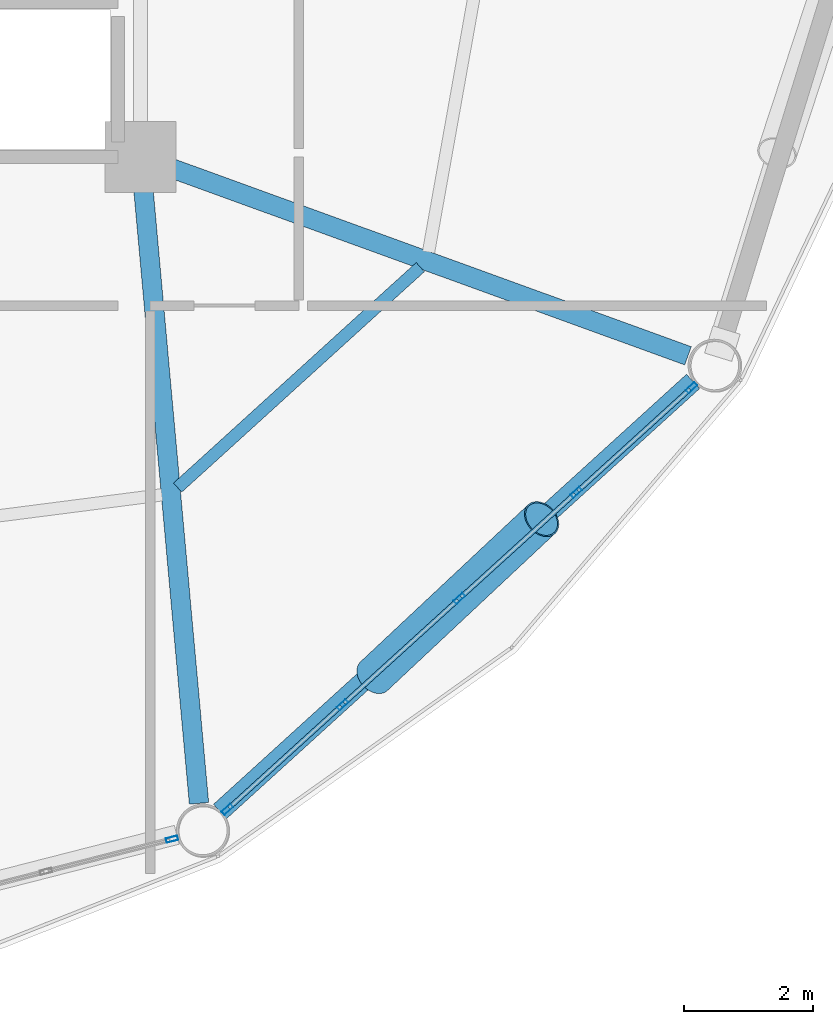
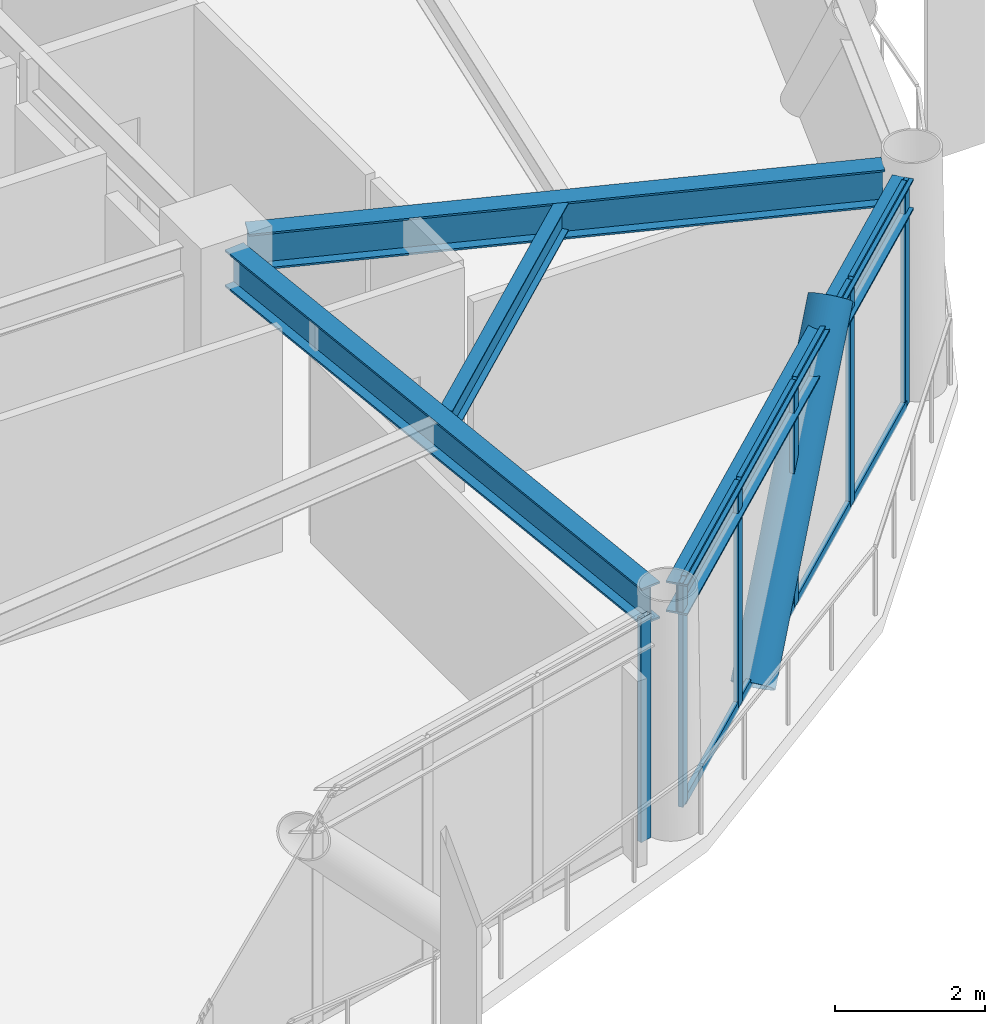
# One storey, part 12 of 25: 15 members, 4 beams, 2 elements without a shape of their own.
"""IFC4 building model written with IfcOpenShell, lengths in metres."""

from ifc_helpers import new_model, si_unit, direction, frame, origin, origin_2d, place, context, subcontext, project, spatial, hollow_rectangle, hollow_circle, i_section, extrude, material, layer, layer_set, material_profile, profile_set, type_object, element, aggregate, save


model = new_model("IFC4")

# Units and contexts
model_context = context("Model", 3, precision=1e-05, world=origin(), true_north=direction((0.0, 1.0)))
body_context = subcontext(model_context, "Body", "Model", "MODEL_VIEW")
ifc_project = project(units=[si_unit("LENGTHUNIT", "METRE"), si_unit("AREAUNIT", "SQUARE_METRE"), si_unit("VOLUMEUNIT", "CUBIC_METRE"), si_unit("PLANEANGLEUNIT", "RADIAN"), si_unit("MASSUNIT", "GRAM", prefix="KILO")], contexts=[model_context])

# Site, building, storey
site_placement = place(None, origin())
site = spatial("IfcSite", under=ifc_project, at=site_placement, CompositionType="ELEMENT")
building_placement = place(site_placement, origin())
building = spatial("IfcBuilding", under=site, at=building_placement, Name="Varnakorn Sky Granary", CompositionType="ELEMENT")
storey_placement = place(building_placement, frame((0.0, 0.0, 91.5)))
storey = spatial("IfcBuildingStorey", under=building, at=storey_placement, Name="L22", CompositionType="ELEMENT", Elevation=91.5)

# Beams
ifc_material_1 = material(Name="Steel S355JR", Category="steel")
ifc_material_profile_1 = material_profile(ifc_material_1, i_section(OverallWidth=0.300048828125, OverallDepth=0.60009765625, WebThickness=0.015380859375, FlangeThickness=0.030029296875, at=origin_2d()), Name="HE 600 B")
ifc_profile_set_1 = profile_set([ifc_material_profile_1], Name="Steel S355JR")
beam_type_1 = type_object("IfcBeamType", Name="BM-RAD-Z2", PredefinedType="BEAM", material=ifc_profile_set_1)
beam_1_placement = place(storey_placement, frame((8.387939453125, -7.018310546875, 3.340087890625), z_axis=(0.09017200568, -0.9959262068, 0.0), x_axis=(0.9959262068, 0.09017200568, 0.0)))
element("IfcBeam", 1, at=beam_1_placement, inside=storey, type_object=beam_type_1, Name="Radial Floor Girder RG11 L22", PredefinedType="BEAM", context=body_context, shape_type="SweptSolid", body=[
    extrude(i_section(OverallWidth=0.300048828125, OverallDepth=0.60009765625, WebThickness=0.015380859375, FlangeThickness=0.030029296875, at=origin_2d()), origin(), (0.0, 0.0, 1.0), 9.62255859375),
])
beam_2_placement = place(storey_placement, frame((8.744873046875, -6.743408203125, 3.340087890625), z_axis=(0.939950922729, -0.341309629017, 0.0), x_axis=(0.341309629017, 0.939950922729, 0.0)))
element("IfcBeam", 2, at=beam_2_placement, inside=storey, type_object=beam_type_1, Name="Radial Floor Girder RG12 L22", PredefinedType="BEAM", context=body_context, shape_type="SweptSolid", body=[
    extrude(i_section(OverallWidth=0.300048828125, OverallDepth=0.60009765625, WebThickness=0.015380859375, FlangeThickness=0.030029296875, at=origin_2d()), origin(), (0.0, 0.0, 1.0), 8.59375),
])
ifc_material_profile_2 = material_profile(ifc_material_1, i_section(OverallWidth=0.18994140625, OverallDepth=0.449951171875, WebThickness=0.009521484375, FlangeThickness=0.0146484375, at=origin_2d()), Name="IPE 450")
ifc_profile_set_2 = profile_set([ifc_material_profile_2], Name="Steel S355JR")
beam_type_2 = type_object("IfcBeamType", Name="BM-SEC-Z2", PredefinedType="BEAM", material=ifc_profile_set_2)
beam_3_placement = place(storey_placement, frame((8.92529296875, -11.7158203125, 3.4150390625), z_axis=(0.740103358676, 0.672493136378, 0.0), x_axis=(-0.672493136378, 0.740103358676, 0.0)))
element("IfcBeam", 3, at=beam_3_placement, inside=storey, type_object=beam_type_2, Name="Secondary Floor Chord Beam MSB11 L22", PredefinedType="BEAM", context=body_context, shape_type="SweptSolid", body=[
    extrude(i_section(OverallWidth=0.18994140625, OverallDepth=0.449951171875, WebThickness=0.009521484375, FlangeThickness=0.0146484375, at=origin_2d()), origin(), (0.0, 0.0, 1.0), 5.073486328125),
])
ifc_material_profile_3 = material_profile(ifc_material_1, i_section(OverallWidth=0.300048828125, OverallDepth=0.5, WebThickness=0.014404296875, FlangeThickness=0.028076171875, at=origin_2d()), Name="HE 500 B")
ifc_profile_set_3 = profile_set([ifc_material_profile_3], Name="Steel S355JR")
beam_type_3 = type_object("IfcBeamType", Name="BM-SPD-Z2", PredefinedType="SPANDREL", material=ifc_profile_set_3)
beam_4_placement = place(storey_placement, frame((9.580810546875, -16.72802734375, 3.389892578125), z_axis=(0.739943423445, 0.672669108923, 0.0), x_axis=(-0.672669108923, 0.739943423445, 0.0)))
element("IfcBeam", 4, at=beam_4_placement, inside=storey, type_object=beam_type_3, Name="Perimeter Spandrel Ring Beam RB11 L22", PredefinedType="SPANDREL", context=body_context, shape_type="SweptSolid", body=[
    extrude(i_section(OverallWidth=0.300048828125, OverallDepth=0.5, WebThickness=0.014404296875, FlangeThickness=0.028076171875, at=origin_2d()), origin(), (0.0, 0.0, 1.0), 9.892822265625),
])

# Curtain wall, member
ifc_material_2 = material(Name="Anodised Bronze Aluminium Alloy 6063-T6", Category="aluminium")
ifc_layer = layer(ifc_material_2, 0.18994140625, Name="Anodised Bronze Aluminium Alloy 6063-T6")
ifc_layer_set = layer_set([ifc_layer], Name="Anodised Bronze Aluminium Alloy 6063-T6")
curtain_wall_type = type_object("IfcCurtainWallType", Name="CW-FRM-1", PredefinedType="USERDEFINED", material=ifc_layer_set)
curtain_wall_1_placement = place(storey_placement, origin())
curtain_wall_1 = element("IfcCurtainWall", 5, at=curtain_wall_1_placement, inside=storey, type_object=curtain_wall_type, Name="Unitised Curtain Wall CW3 CW-L22-B10", ObjectType="CURTAIN WALL", PredefinedType="USERDEFINED")
ifc_material_profile_4 = material_profile(ifc_material_2, hollow_rectangle(XDim=0.070068359375, YDim=0.18505859375, WallThickness=0.00390625, at=origin_2d()), Name="ALU MULL 70x185")
ifc_profile_set_4 = profile_set([ifc_material_profile_4], Name="Anodised Bronze Aluminium Alloy 6063-T6")
member_type_1 = type_object("IfcMemberType", Name="CW-FRM-1-MULL", PredefinedType="MULLION", material=ifc_profile_set_4)
member_1_placement = place(storey_placement, frame((8.838134765625, -17.156494140625, 0.0), z_axis=(0.0, 0.0, 1.0), x_axis=(0.247904232144, -0.96878454348, 0.0)))
member_1 = element("IfcMember", 6, at=member_1_placement, type_object=member_type_1, Name="CW3 mullion 1", PredefinedType="MULLION", context=body_context, shape_type="SweptSolid", body=[
    extrude(hollow_rectangle(XDim=0.070068359375, YDim=0.18505859375, WallThickness=0.00390625, at=origin_2d()), origin(), (0.0, 0.0, 1.0), 3.639892578125),
])
aggregate(curtain_wall_1, [member_1])

# Curtain wall, members
curtain_wall_2_placement = place(storey_placement, origin())
curtain_wall_2 = element("IfcCurtainWall", 7, at=curtain_wall_2_placement, inside=storey, type_object=curtain_wall_type, Name="Unitised Curtain Wall CW3 CW-L22-B11", ObjectType="CURTAIN WALL", PredefinedType="USERDEFINED")
member_2_placement = place(storey_placement, frame((16.87646484375, -10.170654296875, 0.0), z_axis=(0.0, 0.0, 1.0), x_axis=(0.672429296104, -0.740161361962, 0.0)))
member_2 = element("IfcMember", 8, at=member_2_placement, type_object=member_type_1, Name="CW3 mullion 1", PredefinedType="MULLION", context=body_context, shape_type="SweptSolid", body=[
    extrude(hollow_rectangle(XDim=0.070068359375, YDim=0.18505859375, WallThickness=0.00390625, at=origin_2d()), origin(), (0.0, 0.0, 1.0), 3.639892578125),
])
member_3_placement = place(storey_placement, frame((15.09423828125, -11.7900390625, 0.0), z_axis=(0.0, 0.0, 1.0), x_axis=(0.672429296104, -0.740161361962, 0.0)))
member_3 = element("IfcMember", 9, at=member_3_placement, type_object=member_type_1, Name="CW3 mullion 2", PredefinedType="MULLION", context=body_context, shape_type="SweptSolid", body=[
    extrude(hollow_rectangle(XDim=0.070068359375, YDim=0.18505859375, WallThickness=0.00390625, at=origin_2d()), origin(), (0.0, 0.0, 1.0), 3.639892578125),
])
member_4_placement = place(storey_placement, frame((13.285888671875, -13.432861328125, 0.0), z_axis=(0.0, 0.0, 1.0), x_axis=(0.672429296104, -0.740161361962, 0.0)))
member_4 = element("IfcMember", 10, at=member_4_placement, type_object=member_type_1, Name="CW3 mullion 3", PredefinedType="MULLION", context=body_context, shape_type="SweptSolid", body=[
    extrude(hollow_rectangle(XDim=0.070068359375, YDim=0.18505859375, WallThickness=0.00390625, at=origin_2d()), origin(), (0.0, 0.0, 1.0), 3.639892578125),
])
member_5_placement = place(storey_placement, frame((11.4775390625, -15.07568359375, 0.0), z_axis=(0.0, 0.0, 1.0), x_axis=(0.672429296104, -0.740161361962, 0.0)))
member_5 = element("IfcMember", 11, at=member_5_placement, type_object=member_type_1, Name="CW3 mullion 4", PredefinedType="MULLION", context=body_context, shape_type="SweptSolid", body=[
    extrude(hollow_rectangle(XDim=0.070068359375, YDim=0.18505859375, WallThickness=0.00390625, at=origin_2d()), origin(), (0.0, 0.0, 1.0), 3.639892578125),
])
member_6_placement = place(storey_placement, frame((9.6953125, -16.69482421875, 0.0), z_axis=(0.0, 0.0, 1.0), x_axis=(0.672429296104, -0.740161361962, 0.0)))
member_6 = element("IfcMember", 12, at=member_6_placement, type_object=member_type_1, Name="CW3 mullion 5", PredefinedType="MULLION", context=body_context, shape_type="SweptSolid", body=[
    extrude(hollow_rectangle(XDim=0.070068359375, YDim=0.18505859375, WallThickness=0.00390625, at=origin_2d()), origin(), (0.0, 0.0, 1.0), 3.639892578125),
])
ifc_material_profile_5 = material_profile(ifc_material_2, hollow_rectangle(XDim=0.070068359375, YDim=0.139892578125, WallThickness=0.00341796875, at=origin_2d()), Name="ALU TRAN 70x140")
ifc_profile_set_5 = profile_set([ifc_material_profile_5], Name="Anodised Bronze Aluminium Alloy 6063-T6")
member_type_2 = type_object("IfcMemberType", Name="CW-FRM-1-TRAN", PredefinedType="USERDEFINED", material=ifc_profile_set_5)
member_7_placement = place(storey_placement, frame((16.8505859375, -10.1943359375, 0.034912109375), z_axis=(-0.74018101209, -0.672407666034, 0.0), x_axis=(0.672407666034, -0.74018101209, 0.0)))
member_7 = element("IfcMember", 13, at=member_7_placement, type_object=member_type_2, Name="CW3 transom 1.1", ObjectType="TRANSOM", PredefinedType="USERDEFINED", context=body_context, shape_type="SweptSolid", body=[
    extrude(hollow_rectangle(XDim=0.070068359375, YDim=0.139892578125, WallThickness=0.00341796875, at=origin_2d()), origin(), (0.0, 0.0, 1.0), 2.337890625),
])
member_8_placement = place(storey_placement, frame((16.8505859375, -10.1943359375, 3.60498046875), z_axis=(-0.74018101209, -0.672407666034, 0.0), x_axis=(0.672407666034, -0.74018101209, 0.0)))
member_8 = element("IfcMember", 14, at=member_8_placement, type_object=member_type_2, Name="CW3 transom 1.2", ObjectType="TRANSOM", PredefinedType="USERDEFINED", context=body_context, shape_type="SweptSolid", body=[
    extrude(hollow_rectangle(XDim=0.070068359375, YDim=0.139892578125, WallThickness=0.00341796875, at=origin_2d()), origin(), (0.0, 0.0, 1.0), 2.337890625),
])
member_9_placement = place(storey_placement, frame((15.068115234375, -11.8134765625, 0.034912109375), z_axis=(-0.740144875288, -0.672447442991, 0.0), x_axis=(0.672447442991, -0.740144875288, 0.0)))
member_9 = element("IfcMember", 15, at=member_9_placement, type_object=member_type_2, Name="CW3 transom 2.1", ObjectType="TRANSOM", PredefinedType="USERDEFINED", context=body_context, shape_type="SweptSolid", body=[
    extrude(hollow_rectangle(XDim=0.070068359375, YDim=0.139892578125, WallThickness=0.00341796875, at=origin_2d()), origin(), (0.0, 0.0, 1.0), 2.373046875),
])
member_10_placement = place(storey_placement, frame((15.068115234375, -11.8134765625, 3.60498046875), z_axis=(-0.740144875288, -0.672447442991, 0.0), x_axis=(0.672447442991, -0.740144875288, 0.0)))
member_10 = element("IfcMember", 16, at=member_10_placement, type_object=member_type_2, Name="CW3 transom 2.2", ObjectType="TRANSOM", PredefinedType="USERDEFINED", context=body_context, shape_type="SweptSolid", body=[
    extrude(hollow_rectangle(XDim=0.070068359375, YDim=0.139892578125, WallThickness=0.00341796875, at=origin_2d()), origin(), (0.0, 0.0, 1.0), 2.373046875),
])
member_11_placement = place(storey_placement, frame((13.260009765625, -13.456298828125, 0.034912109375), z_axis=(-0.740191392469, -0.672396239218, 0.0), x_axis=(0.672396239218, -0.740191392469, 0.0)))
member_11 = element("IfcMember", 17, at=member_11_placement, type_object=member_type_2, Name="CW3 transom 3.1", ObjectType="TRANSOM", PredefinedType="USERDEFINED", context=body_context, shape_type="SweptSolid", body=[
    extrude(hollow_rectangle(XDim=0.070068359375, YDim=0.139892578125, WallThickness=0.00341796875, at=origin_2d()), origin(), (0.0, 0.0, 1.0), 2.373046875),
])
member_12_placement = place(storey_placement, frame((13.260009765625, -13.456298828125, 3.60498046875), z_axis=(-0.740191392469, -0.672396239218, 0.0), x_axis=(0.672396239218, -0.740191392469, 0.0)))
member_12 = element("IfcMember", 18, at=member_12_placement, type_object=member_type_2, Name="CW3 transom 3.2", ObjectType="TRANSOM", PredefinedType="USERDEFINED", context=body_context, shape_type="SweptSolid", body=[
    extrude(hollow_rectangle(XDim=0.070068359375, YDim=0.139892578125, WallThickness=0.00341796875, at=origin_2d()), origin(), (0.0, 0.0, 1.0), 2.373046875),
])
member_13_placement = place(storey_placement, frame((11.45166015625, -15.09912109375, 0.034912109375), z_axis=(-0.740129039686, -0.672464872401, 0.0), x_axis=(0.672464872401, -0.740129039686, 0.0)))
member_13 = element("IfcMember", 19, at=member_13_placement, type_object=member_type_2, Name="CW3 transom 4.1", ObjectType="TRANSOM", PredefinedType="USERDEFINED", context=body_context, shape_type="SweptSolid", body=[
    extrude(hollow_rectangle(XDim=0.070068359375, YDim=0.139892578125, WallThickness=0.00341796875, at=origin_2d()), origin(), (0.0, 0.0, 1.0), 2.338134765625),
])
member_14_placement = place(storey_placement, frame((11.45166015625, -15.09912109375, 3.60498046875), z_axis=(-0.740129039686, -0.672464872401, 0.0), x_axis=(0.672464872401, -0.740129039686, 0.0)))
member_14 = element("IfcMember", 20, at=member_14_placement, type_object=member_type_2, Name="CW3 transom 4.2", ObjectType="TRANSOM", PredefinedType="USERDEFINED", context=body_context, shape_type="SweptSolid", body=[
    extrude(hollow_rectangle(XDim=0.070068359375, YDim=0.139892578125, WallThickness=0.00341796875, at=origin_2d()), origin(), (0.0, 0.0, 1.0), 2.338134765625),
])
aggregate(curtain_wall_2, [member_2, member_3, member_4, member_5, member_6, member_7, member_8, member_9, member_10, member_11, member_12, member_13, member_14])

# Member
ifc_material_3 = material(Name="Steel S460M", Category="steel")
ifc_material_profile_6 = material_profile(ifc_material_3, hollow_circle(Radius=0.304931640625, WallThickness=0.022216796875, at=origin_2d()), Name="CHS 610x22")
ifc_profile_set_6 = profile_set([ifc_material_profile_6], Name="Steel S460M")
member_type_3 = type_object("IfcMemberType", Name="MB-DIAG-T1", PredefinedType="BRACE", material=ifc_profile_set_6)
member_15_placement = place(storey_placement, frame((11.965087890625, -14.632568359375, -0.1298828125), z_axis=(0.490032666471, 0.459111411382, 0.74100249509), x_axis=(-0.683707903953, 0.729755782486, 0.0)))
element("IfcMember", 21, at=member_15_placement, inside=storey, type_object=member_type_3, Name="Perimeter CHS Diagrid Brace DG11 L22", PredefinedType="BRACE", context=body_context, shape_type="SweptSolid", body=[
    extrude(hollow_circle(Radius=0.304931640625, WallThickness=0.022216796875, at=origin_2d()), origin(), (0.0, 0.0, 1.0), 5.2900390625),
])

save(model, "model.ifc")
